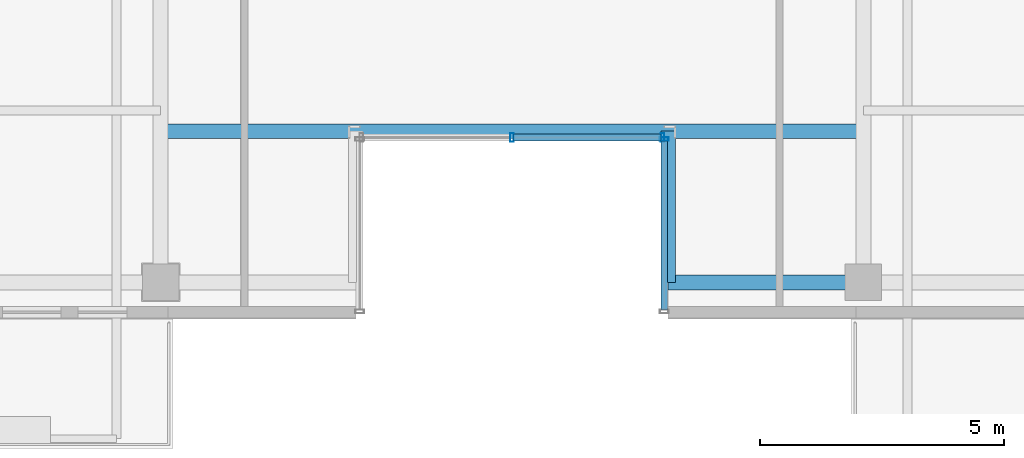
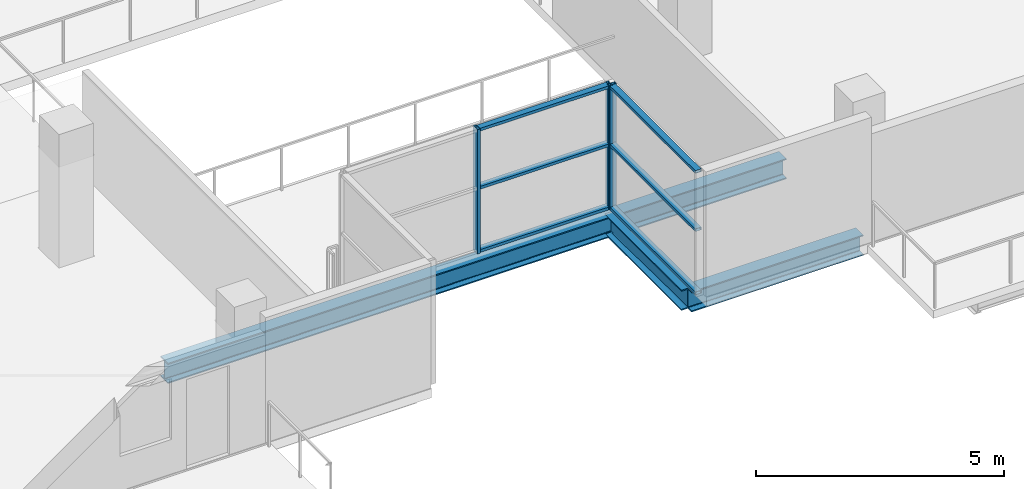
# One storey, part 3 of 22: 9 members, 3 beams, 2 elements without a shape of their own.
"""IFC4 building model written with IfcOpenShell, lengths in metres."""

from ifc_helpers import new_model, si_unit, direction, frame, origin, origin_2d, place, context, subcontext, project, spatial, hollow_rectangle, i_section, extrude, source, transform, mapped, material, layer, layer_set, material_profile, profile_set, type_object, element, aggregate, save


model = new_model("IFC4")

# Units and contexts
model_context = context("Model", 3, precision=1e-05, world=origin(), true_north=direction((0.0, 1.0)))
body_context = subcontext(model_context, "Body", "Model", "MODEL_VIEW")
ifc_project = project(units=[si_unit("LENGTHUNIT", "METRE"), si_unit("AREAUNIT", "SQUARE_METRE"), si_unit("VOLUMEUNIT", "CUBIC_METRE"), si_unit("PLANEANGLEUNIT", "RADIAN"), si_unit("MASSUNIT", "GRAM", prefix="KILO")], contexts=[model_context])

# Site, building, storey
site_placement = place(None, origin())
site = spatial("IfcSite", under=ifc_project, at=site_placement, CompositionType="ELEMENT")
building_placement = place(site_placement, origin())
building = spatial("IfcBuilding", under=site, at=building_placement, Name="Zarnakvel Exchange Tower", CompositionType="ELEMENT")
storey_placement = place(building_placement, frame((0.0, 0.0, 192.39990234375)))
storey = spatial("IfcBuildingStorey", under=building, at=storey_placement, Name="L54", CompositionType="ELEMENT", Elevation=192.39990234375)

# Beams
ifc_material_1 = material(Name="Steel S355", Category="steel")
ifc_material_profile_1 = material_profile(ifc_material_1, i_section(OverallWidth=0.300048828125, OverallDepth=0.5, WebThickness=0.014404296875, FlangeThickness=0.028076171875, FilletRadius=0.027099609375, at=origin_2d()))
ifc_profile_set_1 = profile_set([ifc_material_profile_1], Name="Steel S355")
beam_type_1 = type_object("IfcBeamType", Name="G-06", PredefinedType="BEAM", material=ifc_profile_set_1)
beam_1_placement = place(storey_placement, frame((3.199951171875, -16.64990234375, -0.474853515625), z_axis=(0.0, 1.0, 0.0), x_axis=(-1.0, 0.0, 0.0)))
element("IfcBeam", 1, at=beam_1_placement, inside=storey, type_object=beam_type_1, Name="L54 South Slot East Cheek Beam", PredefinedType="BEAM", context=body_context, shape_type="SweptSolid", body=[
    extrude(i_section(OverallWidth=0.300048828125, OverallDepth=0.5, WebThickness=0.014404296875, FlangeThickness=0.028076171875, FilletRadius=0.027099609375, at=origin_2d()), origin(), (0.0, 0.0, 1.0), 3.099853515625),
])
ifc_material_profile_2 = material_profile(ifc_material_1, i_section(OverallWidth=0.300048828125, OverallDepth=0.5, WebThickness=0.014404296875, FlangeThickness=0.028076171875, FilletRadius=0.027099609375, at=origin_2d()))
ifc_profile_set_2 = profile_set([ifc_material_profile_2], Name="Steel S355")
beam_type_2 = type_object("IfcBeamType", Name="SP-02", PredefinedType="SPANDREL", material=ifc_profile_set_2)
beam_2_placement = place(storey_placement, frame((3.199951171875, -16.64990234375, -0.474853515625), z_axis=(1.0, 0.0, 0.0), x_axis=(0.0, 1.0, 0.0)))
element("IfcBeam", 2, at=beam_2_placement, inside=storey, type_object=beam_type_2, Name="L54 South Slot East Jamb Spandrel", PredefinedType="SPANDREL", context=body_context, shape_type="SweptSolid", body=[
    extrude(i_section(OverallWidth=0.300048828125, OverallDepth=0.5, WebThickness=0.014404296875, FlangeThickness=0.028076171875, FilletRadius=0.027099609375, at=origin_2d()), origin(), (0.0, 0.0, 1.0), 4.0),
])
beam_3_placement = place(storey_placement, frame((-7.199951171875, -13.550048828125, -0.474853515625), z_axis=(1.0, 0.0, 0.0), x_axis=(0.0, 1.0, 0.0)))
element("IfcBeam", 3, at=beam_3_placement, inside=storey, type_object=beam_type_2, Name="L54 South Slot Head Trimmer Girder", PredefinedType="SPANDREL", context=body_context, shape_type="SweptSolid", body=[
    extrude(i_section(OverallWidth=0.300048828125, OverallDepth=0.5, WebThickness=0.014404296875, FlangeThickness=0.028076171875, FilletRadius=0.027099609375, at=origin_2d()), origin(), (0.0, 0.0, 1.0), 14.39990234375),
])

# Curtain wall, members
ifc_material_2 = material(Name="Architectural Bronze Anodised Aluminium", Category="aluminium")
ifc_layer = layer(ifc_material_2, 0.179931640625)
ifc_layer_set = layer_set([ifc_layer], Name="Architectural Bronze Anodised Aluminium")
curtain_wall_type = type_object("IfcCurtainWallType", Name="CW-05", PredefinedType="NOTDEFINED", material=ifc_layer_set)
curtain_wall_1_placement = place(storey_placement, origin())
curtain_wall_1 = element("IfcCurtainWall", 4, at=curtain_wall_1_placement, inside=storey, type_object=curtain_wall_type, Name="L54 Curtain Wall CW-L54-SLB (CW-05)", PredefinedType="NOTDEFINED")
ifc_material_profile_3 = material_profile(ifc_material_2, hollow_rectangle(XDim=0.179931640625, YDim=0.070068359375, WallThickness=0.00390625, at=origin_2d()))
ifc_profile_set_3 = profile_set([ifc_material_profile_3], Name="Architectural Bronze Anodised Aluminium")
member_type_1 = type_object("IfcMemberType", Name="CWM-05", PredefinedType="MULLION", material=ifc_profile_set_3)
shared_shape_1 = source(origin(), body_context, "Body", "SweptSolid", [
    extrude(hollow_rectangle(XDim=0.179931640625, YDim=0.070068359375, WallThickness=0.00390625, at=origin_2d()), origin(), (0.0, 0.0, 1.0), 3.05517578125),
])
member_1_placement = place(storey_placement, frame((0.0, -13.679931640625, 0.0), z_axis=(0.0, 0.0, 1.0), x_axis=(0.0, 1.0, 0.0)))
member_1 = element("IfcMember", 5, at=member_1_placement, type_object=member_type_1, Name="CW-05 mullion 2", PredefinedType="MULLION", context=body_context, shape_type="MappedRepresentation", body=[
    mapped(shared_shape_1, transform((0.0, 0.0, 0.0), x_axis=(1.0, 0.0, 0.0), y_axis=(0.0, 1.0, 0.0), z_axis=(0.0, 0.0, 1.0), scale=1.0)),
])
member_2_placement = place(storey_placement, frame((3.0849609375, -13.679931640625, 0.0), z_axis=(0.0, 0.0, 1.0), x_axis=(0.0, 1.0, 0.0)))
member_2 = element("IfcMember", 6, at=member_2_placement, type_object=member_type_1, Name="CW-05 mullion 3", PredefinedType="MULLION", context=body_context, shape_type="MappedRepresentation", body=[
    mapped(shared_shape_1, transform((0.0, 0.0, 0.0), x_axis=(1.0, 0.0, 0.0), y_axis=(0.0, 1.0, 0.0), z_axis=(0.0, 0.0, 1.0), scale=1.0)),
])

curtain_wall_2_placement = place(storey_placement, origin())
curtain_wall_2 = element("IfcCurtainWall", 7, at=curtain_wall_2_placement, inside=storey, type_object=curtain_wall_type, Name="L54 Curtain Wall CW-L54-SLE (CW-05)", PredefinedType="NOTDEFINED")
member_3_placement = place(storey_placement, frame((3.1201171875, -13.715087890625, 0.0), z_axis=(0.0, 0.0, 1.0), x_axis=(1.0, 0.0, 0.0)))
member_3 = element("IfcMember", 8, at=member_3_placement, type_object=member_type_1, Name="CW-05 mullion 1", PredefinedType="MULLION", context=body_context, shape_type="MappedRepresentation", body=[
    mapped(shared_shape_1, transform((0.0, 0.0, 0.0), x_axis=(1.0, 0.0, 0.0), y_axis=(0.0, 1.0, 0.0), z_axis=(0.0, 0.0, 1.0), scale=1.0)),
])
ifc_material_profile_4 = material_profile(ifc_material_2, hollow_rectangle(XDim=0.139892578125, YDim=0.070068359375, WallThickness=0.00390625, at=origin_2d()))
ifc_profile_set_4 = profile_set([ifc_material_profile_4], Name="Architectural Bronze Anodised Aluminium")
member_type_2 = type_object("IfcMemberType", Name="CWT-05", PredefinedType="USERDEFINED", material=ifc_profile_set_4)
shared_shape_2 = source(origin(), body_context, "Body", "SweptSolid", [
    extrude(hollow_rectangle(XDim=0.139892578125, YDim=0.070068359375, WallThickness=0.00390625, at=origin_2d()), origin(), (0.0, 0.0, 1.0), 3.4599609375),
])
member_4_placement = place(storey_placement, frame((3.1201171875, -13.75, 0.03515625), z_axis=(0.0, -1.0, 0.0), x_axis=(1.0, 0.0, 0.0)))
member_4 = element("IfcMember", 9, at=member_4_placement, type_object=member_type_2, Name="CW-05 transom 1.1", ObjectType="TRANSOM", PredefinedType="USERDEFINED", context=body_context, shape_type="MappedRepresentation", body=[
    mapped(shared_shape_2, transform((0.0, 0.0, 0.0), x_axis=(1.0, 0.0, 0.0), y_axis=(0.0, 1.0, 0.0), z_axis=(0.0, 0.0, 1.0), scale=1.0)),
])
member_5_placement = place(storey_placement, frame((3.1201171875, -13.75, 1.588623046875), z_axis=(0.0, -1.0, 0.0), x_axis=(1.0, 0.0, 0.0)))
member_5 = element("IfcMember", 10, at=member_5_placement, type_object=member_type_2, Name="CW-05 transom 1.2", ObjectType="TRANSOM", PredefinedType="USERDEFINED", context=body_context, shape_type="MappedRepresentation", body=[
    mapped(shared_shape_2, transform((0.0, 0.0, 0.0), x_axis=(1.0, 0.0, 0.0), y_axis=(0.0, 1.0, 0.0), z_axis=(0.0, 0.0, 1.0), scale=1.0)),
])
member_6_placement = place(storey_placement, frame((3.1201171875, -13.75, 3.02001953125), z_axis=(0.0, -1.0, 0.0), x_axis=(1.0, 0.0, 0.0)))
member_6 = element("IfcMember", 11, at=member_6_placement, type_object=member_type_2, Name="CW-05 transom 1.3", ObjectType="TRANSOM", PredefinedType="USERDEFINED", context=body_context, shape_type="MappedRepresentation", body=[
    mapped(shared_shape_2, transform((0.0, 0.0, 0.0), x_axis=(1.0, 0.0, 0.0), y_axis=(0.0, 1.0, 0.0), z_axis=(0.0, 0.0, 1.0), scale=1.0)),
])
aggregate(curtain_wall_2, [member_3, member_4, member_5, member_6])

# Member
shared_shape_3 = source(origin(), body_context, "Body", "SweptSolid", [
    extrude(hollow_rectangle(XDim=0.139892578125, YDim=0.070068359375, WallThickness=0.00390625, at=origin_2d()), origin(), (0.0, 0.0, 1.0), 3.01513671875),
])
member_7_placement = place(storey_placement, frame((0.034912109375, -13.679931640625, 0.03515625), z_axis=(1.0, 0.0, 0.0), x_axis=(0.0, 1.0, 0.0)))
member_7 = element("IfcMember", 12, at=member_7_placement, type_object=member_type_2, Name="CW-05 transom 2.1", ObjectType="TRANSOM", PredefinedType="USERDEFINED", context=body_context, shape_type="MappedRepresentation", body=[
    mapped(shared_shape_3, transform((0.0, 0.0, 0.0), x_axis=(1.0, 0.0, 0.0), y_axis=(0.0, 1.0, 0.0), z_axis=(0.0, 0.0, 1.0), scale=1.0)),
])

member_8_placement = place(storey_placement, frame((0.034912109375, -13.679931640625, 1.588623046875), z_axis=(1.0, 0.0, 0.0), x_axis=(0.0, 1.0, 0.0)))
member_8 = element("IfcMember", 13, at=member_8_placement, type_object=member_type_2, Name="CW-05 transom 2.2", ObjectType="TRANSOM", PredefinedType="USERDEFINED", context=body_context, shape_type="MappedRepresentation", body=[
    mapped(shared_shape_3, transform((0.0, 0.0, 0.0), x_axis=(1.0, 0.0, 0.0), y_axis=(0.0, 1.0, 0.0), z_axis=(0.0, 0.0, 1.0), scale=1.0)),
])

member_9_placement = place(storey_placement, frame((0.034912109375, -13.679931640625, 3.02001953125), z_axis=(1.0, 0.0, 0.0), x_axis=(0.0, 1.0, 0.0)))
member_9 = element("IfcMember", 14, at=member_9_placement, type_object=member_type_2, Name="CW-05 transom 2.3", ObjectType="TRANSOM", PredefinedType="USERDEFINED", context=body_context, shape_type="MappedRepresentation", body=[
    mapped(shared_shape_3, transform((0.0, 0.0, 0.0), x_axis=(1.0, 0.0, 0.0), y_axis=(0.0, 1.0, 0.0), z_axis=(0.0, 0.0, 1.0), scale=1.0)),
])

aggregate(curtain_wall_1, [member_1, member_2, member_7, member_8, member_9])

save(model, "model.ifc")
